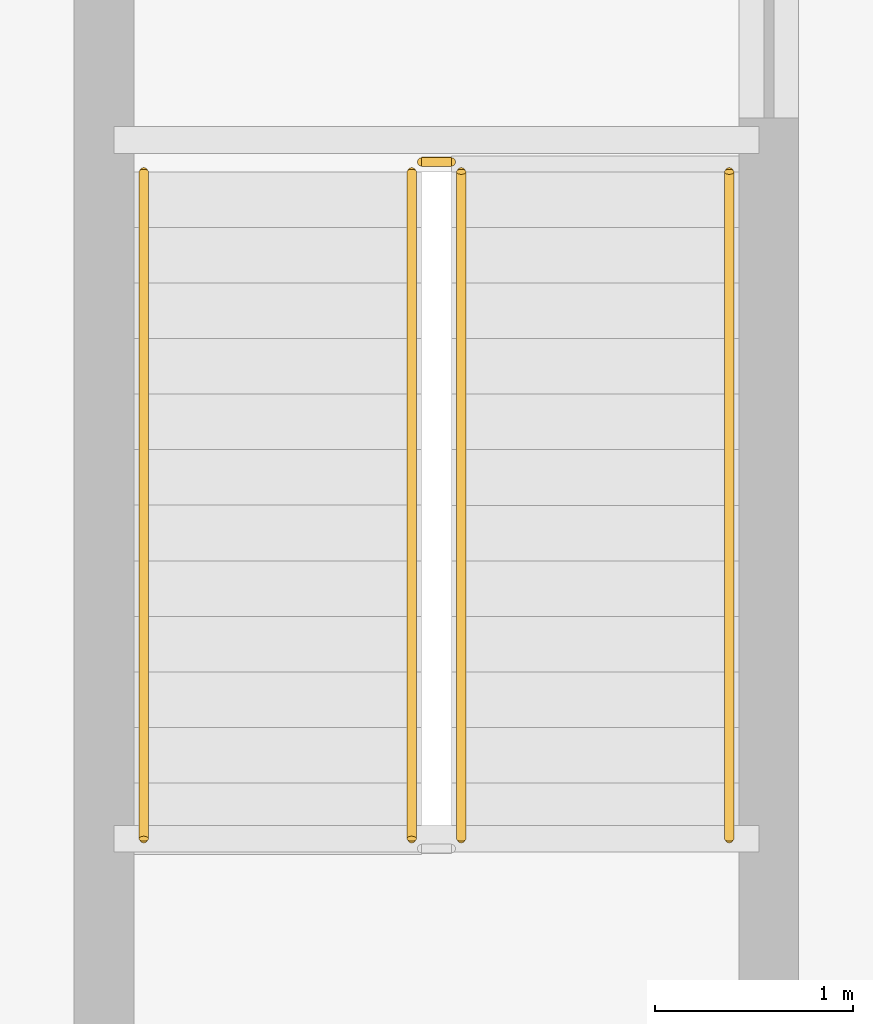
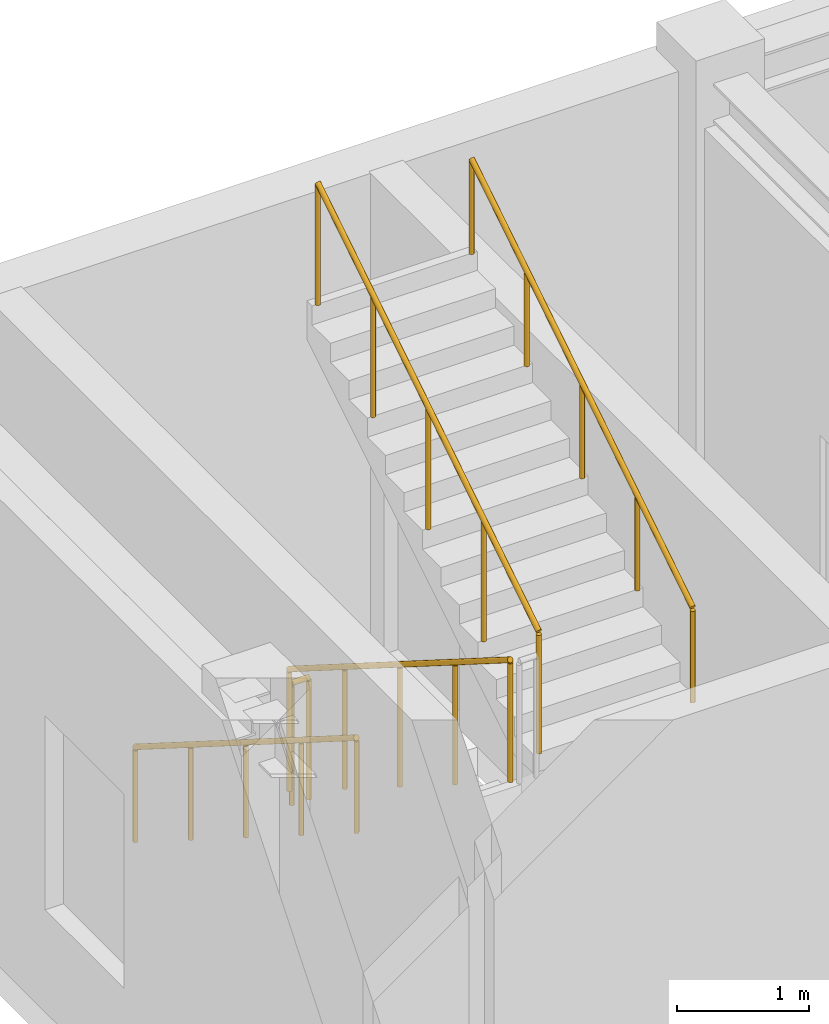
# One storey, part 22 of 22: 5 railings.
"""IFC4 building model written with IfcOpenShell, lengths in metres."""

import ifcopenshell
import ifcopenshell.guid

model = None  # the IFC model being written
_history = None  # IfcOwnerHistory: only IFC2X3 demands one
_inside = {}  # id of a spatial element -> (the spatial element, [elements in it])
_under = {}  # id of a project, library or spatial element -> (it, [spatial elements below it])
_declared = {}  # id of a project -> (the project, [libraries it declares])
_typed = {}  # id of a type object -> (the type object, [elements of that type])
_made_of = {}  # id of a material, layer set ... -> (it, [elements and type objects made of it])


def new_model(schema):
    """Start an empty IFC model of exactly this schema.

    Asked for "IFC4X3", IfcOpenShell would pick the latest addendum, in which some entities
    have other attributes; the version numbers below select the first issue.
    IFC2X3 requires an IfcOwnerHistory on every rooted entity: one is made here for all.
    """
    global model, _history
    if schema == "IFC4X3":
        model = ifcopenshell.file(schema_version=(4, 3, 0, 0))
    else:
        model = ifcopenshell.file(schema=schema)
    _inside.clear()
    _under.clear()
    _declared.clear()
    _typed.clear()
    _made_of.clear()
    _history = None
    if model.schema == "IFC2X3":
        org = make("IfcOrganization", Name="unknown")
        user = make(
            "IfcPersonAndOrganization",
            ThePerson=make("IfcPerson", FamilyName="unknown"),
            TheOrganization=org,
        )
        app = make(
            "IfcApplication",
            ApplicationDeveloper=org,
            Version="unknown",
            ApplicationFullName="unknown",
            ApplicationIdentifier="unknown",
        )
        _history = make(
            "IfcOwnerHistory",
            OwningUser=user,
            OwningApplication=app,
            ChangeAction="ADDED",
            CreationDate=0,
        )
    return model


def make(cls, **values):
    """One entity of the class cls with the attributes given. An attribute that is None is left unset."""
    return model.create_entity(
        cls, **{name: value for name, value in values.items() if value is not None}
    )


def rooted(cls, **values):
    """An entity with a GlobalId (a new one), such as an element, a storey or a relation."""
    return make(cls, GlobalId=ifcopenshell.guid.new(), OwnerHistory=_history, **values)


def si_unit(unit_type, name, prefix=None):
    """IfcSIUnit, for example si_unit("LENGTHUNIT", "METRE", prefix="MILLI")."""
    return make("IfcSIUnit", UnitType=unit_type, Prefix=prefix, Name=name)


def assignment(units):
    """IfcUnitAssignment: the units of a project."""
    return None if units is None else make("IfcUnitAssignment", Units=units)


def point(xyz):
    """IfcCartesianPoint."""
    return None if xyz is None else make("IfcCartesianPoint", Coordinates=xyz)


def direction(xyz):
    """IfcDirection."""
    return None if xyz is None else make("IfcDirection", DirectionRatios=xyz)


def frame(location, z_axis=None, x_axis=None):
    """IfcAxis2Placement3D, a coordinate frame: its origin and axes. An axis left out is left unset."""
    return make(
        "IfcAxis2Placement3D",
        Location=point(location),
        Axis=direction(z_axis),
        RefDirection=direction(x_axis),
    )


def frame_2d(location, x_axis=None):
    """IfcAxis2Placement2D, a coordinate frame in the plane: its origin and x axis."""
    return make(
        "IfcAxis2Placement2D", Location=point(location), RefDirection=direction(x_axis)
    )


def origin():
    """The frame at (0, 0, 0) with its axes left unset."""
    return frame((0.0, 0.0, 0.0))


def origin_2d():
    """The frame at (0, 0) in the plane with its x axis left unset."""
    return frame_2d((0.0, 0.0))


def place(relative_to, where):
    """IfcLocalPlacement: puts the frame where relative to a parent placement (None: the world)."""
    return make(
        "IfcLocalPlacement", PlacementRelTo=relative_to, RelativePlacement=where
    )


def context(
    kind, dimensions, precision=None, world=None, true_north=None, identifier=None
):
    """IfcGeometricRepresentationContext, for example the 3D "Model" context."""
    return make(
        "IfcGeometricRepresentationContext",
        ContextIdentifier=identifier,
        ContextType=kind,
        CoordinateSpaceDimension=dimensions,
        Precision=precision,
        WorldCoordinateSystem=world,
        TrueNorth=true_north,
    )


def subcontext(parent, identifier, kind, view, scale=None):
    """IfcGeometricRepresentationSubContext, for example "Body" below "Model"."""
    return make(
        "IfcGeometricRepresentationSubContext",
        ContextIdentifier=identifier,
        ContextType=kind,
        ParentContext=parent,
        TargetScale=scale,
        TargetView=view,
    )


def project(units=None, contexts=None):
    """IfcProject with its units and contexts."""
    return rooted(
        "IfcProject",
        Name="project",
        RepresentationContexts=contexts,
        UnitsInContext=assignment(units),
    )


def spatial(cls, under=None, at=None, **own):
    """A site, building, storey or space (cls), placed at a placement, below another one or the project."""
    s = rooted(cls, ObjectPlacement=at, **own)
    if under is not None:
        _under.setdefault(under.id(), (under, []))[1].append(s)
    return s


def profile(cls, at=None, kind="AREA", **sizes):
    """A parametric profile (cls). Its sizes go by their IFC names, for example OverallWidth=200.0."""
    return make(cls, ProfileType=kind, Position=at, **sizes)


def circle(**sizes):
    """IfcCircleProfileDef."""
    return profile("IfcCircleProfileDef", **sizes)


def extrude(swept, where, along, depth):
    """IfcExtrudedAreaSolid: the profile swept, set in the frame where, extruded along a direction by depth."""
    return make(
        "IfcExtrudedAreaSolid",
        SweptArea=swept,
        Position=where,
        ExtrudedDirection=direction(along),
        Depth=depth,
    )


def shape(context_of_items, identifier, shape_type, items):
    """IfcShapeRepresentation: the items that make up one representation, for example the "Body"."""
    return make(
        "IfcShapeRepresentation",
        ContextOfItems=context_of_items,
        RepresentationIdentifier=identifier,
        RepresentationType=shape_type,
        Items=items,
    )


def material(Name=None, Category=None):
    """IfcMaterial."""
    return make("IfcMaterial", Name=Name, Category=Category)


def made_of(thing, what):
    """Note that an element or type object is made of a material, layer set ...; save() writes the relation."""
    if what is not None:
        _made_of.setdefault(what.id(), (what, []))[1].append(thing)
    return thing


def type_object(cls, material=None, **own):
    """A type object (cls), such as IfcWallType, which elements share."""
    return made_of(rooted(cls, **own), material)


def element(
    cls,
    number,
    at=None,
    inside=None,
    cuts=None,
    type_object=None,
    material=None,
    context=None,
    identifier="Body",
    shape_type=None,
    held_by="IfcProductDefinitionShape",
    body=None,
    shapes=None,
    **own,
):
    """One element of the class cls, such as IfcWall. Its Tag is "e" and its number.

    at: its placement. inside: the storey or other place that contains it. cuts: it is an
    opening in that element (IfcRelVoidsElement). A single representation is given by context,
    identifier, shape_type and body (its items); several are given by shapes. held_by: the class
    of the entity that holds the representations. save() writes the other relations.
    """
    e = rooted(cls, Tag="e%d" % number, ObjectPlacement=at, **own)
    if body is not None:
        shapes = [shape(context, identifier, shape_type, body)]
    if shapes is not None:
        e.Representation = make(held_by, Representations=shapes)
    if inside is not None:
        _inside.setdefault(inside.id(), (inside, []))[1].append(e)
    if cuts is not None:
        rooted(
            "IfcRelVoidsElement", RelatingBuildingElement=cuts, RelatedOpeningElement=e
        )
    if type_object is not None:
        _typed.setdefault(type_object.id(), (type_object, []))[1].append(e)
    return made_of(e, material)


def aggregate(whole, parts):
    """IfcRelAggregates: a whole, such as a stair, and the parts it consists of."""
    return rooted("IfcRelAggregates", RelatingObject=whole, RelatedObjects=parts)


def save(model, path):
    """Write the relations noted so far, then the file.

    IfcRelAggregates (storeys below a building ...), IfcRelContainedInSpatialStructure (elements
    in a storey), IfcRelDefinesByType, IfcRelAssociatesMaterial and IfcRelDeclares: one each for
    every whole, place, type object, material and project.
    """
    for whole, parts in _under.values():
        aggregate(whole, parts)
    for where, things in _inside.values():
        rooted(
            "IfcRelContainedInSpatialStructure",
            RelatedElements=things,
            RelatingStructure=where,
        )
    for kind, things in _typed.values():
        rooted("IfcRelDefinesByType", RelatedObjects=things, RelatingType=kind)
    for what, things in _made_of.values():
        rooted("IfcRelAssociatesMaterial", RelatedObjects=things, RelatingMaterial=what)
    for by, libraries in _declared.values():
        rooted("IfcRelDeclares", RelatingContext=by, RelatedDefinitions=libraries)
    model.write(path)


model = new_model("IFC4")

# Units and contexts
model_context = context("Model", 3, precision=1e-05, world=origin(), true_north=direction((0.0, 1.0)))
body_context = subcontext(model_context, "Body", "Model", "MODEL_VIEW")
ifc_project = project(units=[si_unit("LENGTHUNIT", "METRE"), si_unit("AREAUNIT", "SQUARE_METRE"), si_unit("VOLUMEUNIT", "CUBIC_METRE"), si_unit("PLANEANGLEUNIT", "RADIAN"), si_unit("MASSUNIT", "GRAM", prefix="KILO")], contexts=[model_context])

# Site, building, storey
site_placement = place(None, origin())
site = spatial("IfcSite", under=ifc_project, at=site_placement, CompositionType="ELEMENT")
building_placement = place(site_placement, origin())
building = spatial("IfcBuilding", under=site, at=building_placement, Name="Kranzbogen Civic Tower", CompositionType="ELEMENT")
storey_placement = place(building_placement, frame((0.0, 0.0, 5.199951171875)))
storey = spatial("IfcBuildingStorey", under=building, at=storey_placement, Name="L01", CompositionType="ELEMENT", Elevation=5.199951171875)

# Railings
ifc_material_1 = material(Name="Steel S355", Category="steel")
railing_type_1 = type_object("IfcRailingType", Name="Internal Stair and Void Steel Guardrail 1150", PredefinedType="GUARDRAIL", material=ifc_material_1)
railing_1_placement = place(storey_placement, frame((54.949951171875, 41.0, 0.177001953125)))
element("IfcRailing", 1, at=railing_1_placement, inside=storey, type_object=railing_type_1, Name="L01 ST-H2 stair guard 1", PredefinedType="GUARDRAIL", context=body_context, shape_type="SweptSolid", body=[
    extrude(circle(Radius=0.02392578125, at=origin_2d()), frame((0.0, 0.0, 1.1259765625), z_axis=(0.0, -0.845389635667, 0.534150132366), x_axis=(1.0, 0.0, 0.0)), (0.0, 0.0, 1.0), 3.974609375),
    extrude(circle(Radius=0.02099609375, at=origin_2d()), origin(), (0.0, 0.0, 1.0), 1.101806640625),
    extrude(circle(Radius=0.02099609375, at=origin_2d()), frame((0.0, -0.840087890625, 0.53076171875)), (0.0, 0.0, 1.0), 1.101806640625),
    extrude(circle(Radius=0.02099609375, at=origin_2d()), frame((0.0, -1.68017578125, 1.0615234375)), (0.0, 0.0, 1.0), 1.101806640625),
    extrude(circle(Radius=0.02099609375, at=origin_2d()), frame((0.0, -2.52001953125, 1.59228515625)), (0.0, 0.0, 1.0), 1.101806640625),
    extrude(circle(Radius=0.02099609375, at=origin_2d()), frame((0.0, -3.360107421875, 2.123046875)), (0.0, 0.0, 1.0), 1.101806640625),
])
railing_2_placement = place(storey_placement, frame((55.199951171875, 37.639892578125, 2.47705078125)))
element("IfcRailing", 2, at=railing_2_placement, inside=storey, type_object=railing_type_1, Name="L01 ST-H2 stair guard 3", PredefinedType="GUARDRAIL", context=body_context, shape_type="SweptSolid", body=[
    extrude(circle(Radius=0.02392578125, at=origin_2d()), frame((0.0, 0.0, 1.1259765625), z_axis=(0.0, 0.845389635667, 0.534150132366), x_axis=(-1.0, 0.0, 0.0)), (0.0, 0.0, 1.0), 3.974609375),
    extrude(circle(Radius=0.02099609375, at=origin_2d()), origin(), (0.0, 0.0, 1.0), 1.101806640625),
    extrude(circle(Radius=0.02099609375, at=origin_2d()), frame((0.0, 0.840087890625, 0.53076171875)), (0.0, 0.0, 1.0), 1.101806640625),
    extrude(circle(Radius=0.02099609375, at=origin_2d()), frame((0.0, 1.68017578125, 1.0615234375)), (0.0, 0.0, 1.0), 1.101806640625),
    extrude(circle(Radius=0.02099609375, at=origin_2d()), frame((0.0, 2.52001953125, 1.59228515625)), (0.0, 0.0, 1.0), 1.101806640625),
    extrude(circle(Radius=0.02099609375, at=origin_2d()), frame((0.0, 3.360107421875, 2.123046875)), (0.0, 0.0, 1.0), 1.101806640625),
])
railing_3_placement = place(storey_placement, frame((55.0, 41.050048828125, 0.0)))
element("IfcRailing", 3, at=railing_3_placement, inside=storey, type_object=railing_type_1, Name="L01 ST-H2 stair guard 4", PredefinedType="GUARDRAIL", context=body_context, shape_type="SweptSolid", body=[
    extrude(circle(Radius=0.02392578125, at=origin_2d()), frame((0.0, 0.0, 1.1259765625), z_axis=(1.0, 0.0, 0.0), x_axis=(0.0, 1.0, 0.0)), (0.0, 0.0, 1.0), 0.14990234375),
    extrude(circle(Radius=0.02099609375, at=origin_2d()), origin(), (0.0, 0.0, 1.0), 1.101806640625),
    extrude(circle(Radius=0.02099609375, at=origin_2d()), frame((0.14990234375, 0.0, 0.0)), (0.0, 0.0, 1.0), 1.101806640625),
])
ifc_material_2 = material(Name="Pale Anodised Aluminium", Category="aluminium")
railing_type_2 = type_object("IfcRailingType", Name="Tubular Stainless Stair Wall Handrail 900", PredefinedType="HANDRAIL", material=ifc_material_2)
railing_4_placement = place(storey_placement, frame((53.60009765625, 41.0, 0.177001953125)))
element("IfcRailing", 4, at=railing_4_placement, inside=storey, type_object=railing_type_2, Name="L01 ST-H2 stair handrail 1", PredefinedType="HANDRAIL", context=body_context, shape_type="SweptSolid", body=[
    extrude(circle(Radius=0.02392578125, at=origin_2d()), frame((0.0, 0.0, 0.8759765625), z_axis=(0.0, -0.845389635667, 0.534150132366), x_axis=(1.0, 0.0, 0.0)), (0.0, 0.0, 1.0), 3.974609375),
    extrude(circle(Radius=0.02099609375, at=origin_2d()), origin(), (0.0, 0.0, 1.0), 0.851806640625),
    extrude(circle(Radius=0.02099609375, at=origin_2d()), frame((0.0, -0.840087890625, 0.53076171875)), (0.0, 0.0, 1.0), 0.851806640625),
    extrude(circle(Radius=0.02099609375, at=origin_2d()), frame((0.0, -1.68017578125, 1.0615234375)), (0.0, 0.0, 1.0), 0.851806640625),
    extrude(circle(Radius=0.02099609375, at=origin_2d()), frame((0.0, -2.52001953125, 1.59228515625)), (0.0, 0.0, 1.0), 0.851806640625),
    extrude(circle(Radius=0.02099609375, at=origin_2d()), frame((0.0, -3.360107421875, 2.123046875)), (0.0, 0.0, 1.0), 0.851806640625),
])
railing_5_placement = place(storey_placement, frame((56.550048828125, 37.639892578125, 2.47705078125)))
element("IfcRailing", 5, at=railing_5_placement, inside=storey, type_object=railing_type_2, Name="L01 ST-H2 stair handrail 2", PredefinedType="HANDRAIL", context=body_context, shape_type="SweptSolid", body=[
    extrude(circle(Radius=0.02392578125, at=origin_2d()), frame((0.0, 0.0, 0.8759765625), z_axis=(0.0, 0.845389635667, 0.534150132366), x_axis=(-1.0, 0.0, 0.0)), (0.0, 0.0, 1.0), 3.974609375),
    extrude(circle(Radius=0.02099609375, at=origin_2d()), origin(), (0.0, 0.0, 1.0), 0.851806640625),
    extrude(circle(Radius=0.02099609375, at=origin_2d()), frame((0.0, 0.840087890625, 0.53076171875)), (0.0, 0.0, 1.0), 0.851806640625),
    extrude(circle(Radius=0.02099609375, at=origin_2d()), frame((0.0, 1.68017578125, 1.0615234375)), (0.0, 0.0, 1.0), 0.851806640625),
    extrude(circle(Radius=0.02099609375, at=origin_2d()), frame((0.0, 2.52001953125, 1.59228515625)), (0.0, 0.0, 1.0), 0.851806640625),
    extrude(circle(Radius=0.02099609375, at=origin_2d()), frame((0.0, 3.360107421875, 2.123046875)), (0.0, 0.0, 1.0), 0.851806640625),
])

save(model, "model.ifc")
